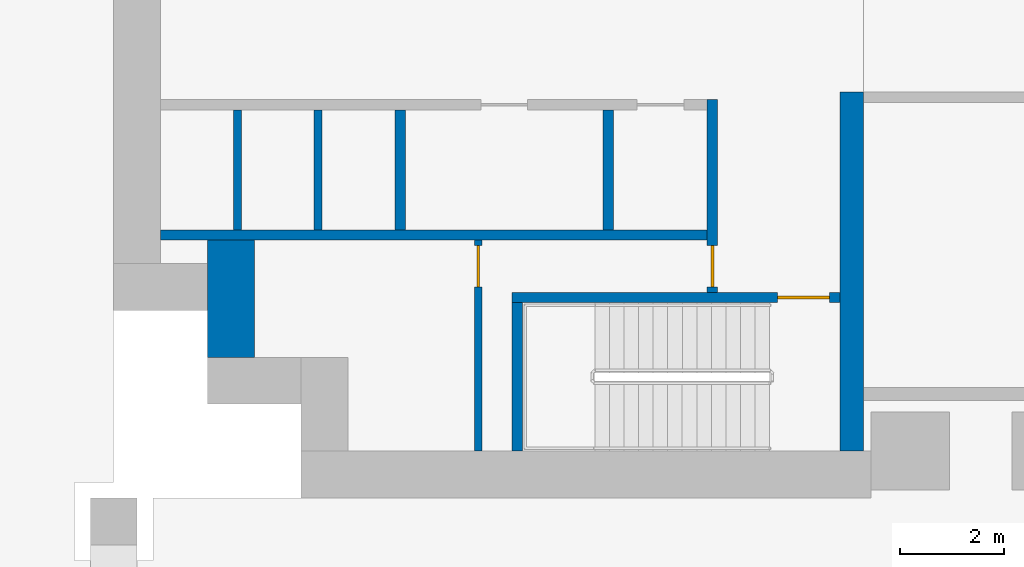
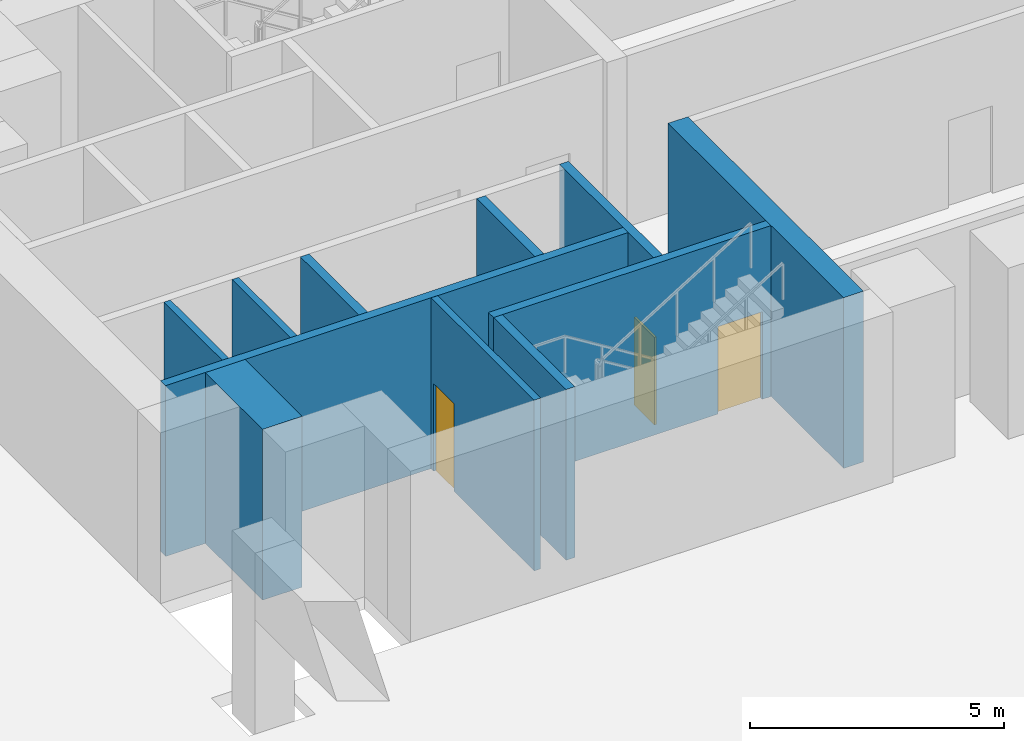
# One storey, part 3 of 9: 11 walls, 3 doors, 3 openings.
"""IFC4 building model written with IfcOpenShell, lengths in metres."""

from ifc_helpers import new_model, si_unit, direction, frame, frame_2d, origin, place, context, subcontext, project, spatial, rectangle, extrude, material, layer, layer_set, type_object, element, fill, save


model = new_model("IFC4")

# Units and contexts
model_context = context("Model", 3, precision=1e-05, world=origin(), true_north=direction((0.0, 1.0)))
body_context = subcontext(model_context, "Body", "Model", "MODEL_VIEW")
ifc_project = project(units=[si_unit("LENGTHUNIT", "METRE"), si_unit("AREAUNIT", "SQUARE_METRE"), si_unit("VOLUMEUNIT", "CUBIC_METRE"), si_unit("PLANEANGLEUNIT", "RADIAN"), si_unit("MASSUNIT", "GRAM", prefix="KILO")], contexts=[model_context])

# Site, building, storey
site_placement = place(None, origin())
site = spatial("IfcSite", under=ifc_project, at=site_placement, CompositionType="ELEMENT")
building_placement = place(site_placement, origin())
building = spatial("IfcBuilding", under=site, at=building_placement, Name="Perihelion Cross Residences", CompositionType="ELEMENT")
storey_placement = place(building_placement, frame((0.0, 0.0, -4.5)))
storey = spatial("IfcBuildingStorey", under=building, at=storey_placement, Name="B1", CompositionType="ELEMENT", Elevation=-4.5)

# Walls
ifc_material_1 = material(Name="Concrete C60/75", Category="concrete")
ifc_layer_1 = layer(ifc_material_1, 0.449951171875)
ifc_layer_set_1 = layer_set([ifc_layer_1], Name="Core wall, inner 450")
wall_type_1 = type_object("IfcWallType", Name="Core wall, inner 450", PredefinedType="SHEAR", material=ifc_layer_set_1)
wall_1_placement = place(storey_placement, frame((-21.824951171875, -8.10009765625, 0.0), z_axis=(0.0, 0.0, 1.0), x_axis=(0.0, 1.0, 0.0)))
element("IfcWall", 1, at=wall_1_placement, inside=storey, type_object=wall_type_1, Name="West core core wall, inner", PredefinedType="SHEAR", context=body_context, shape_type="SweptSolid", body=[
    extrude(rectangle(XDim=6.900146484375, YDim=0.449951171875, at=frame_2d((3.4501953125, 0.0))), origin(), (0.0, 0.0, 1.0), 4.10009765625),
])
ifc_material_2 = material(Name="Concrete C60/75", Category="concrete")
ifc_layer_2 = layer(ifc_material_2, 0.89990234375)
ifc_layer_set_2 = layer_set([ifc_layer_2], Name="Core wall, outer 900")
wall_type_2 = type_object("IfcWallType", Name="Core wall, outer 900", PredefinedType="SHEAR", material=ifc_layer_set_2)
wall_2_placement = place(storey_placement, frame((-33.75, -6.300048828125, 0.0), z_axis=(0.0, 0.0, 1.0), x_axis=(0.0, 1.0, 0.0)))
element("IfcWall", 2, at=wall_2_placement, inside=storey, type_object=wall_type_2, Name="West core core wall, outer", PredefinedType="SHEAR", context=body_context, shape_type="SweptSolid", body=[
    extrude(rectangle(XDim=2.25, YDim=0.89990234375, at=frame_2d((1.125, 0.0))), origin(), (0.0, 0.0, 1.0), 4.10009765625),
])

# Wall, opening, door
ifc_material_3 = material(Name="Concrete C50/60", Category="concrete")
ifc_layer_3 = layer(ifc_material_3, 0.199951171875)
ifc_layer_set_3 = layer_set([ifc_layer_3], Name="Lobby wall 200")
wall_type_3 = type_object("IfcWallType", Name="Lobby wall 200", PredefinedType="SOLIDWALL", material=ifc_layer_set_3)
wall_3_placement = place(storey_placement, frame((-24.5, -5.050048828125, 0.0), z_axis=(0.0, 0.0, 1.0), x_axis=(0.0, 1.0, 0.0)))
wall_3 = element("IfcWall", 3, at=wall_3_placement, inside=storey, type_object=wall_type_3, Name="West core lobby wall", PredefinedType="SOLIDWALL", context=body_context, shape_type="SweptSolid", body=[
    extrude(rectangle(XDim=3.699951171875, YDim=0.199951171875, at=frame_2d((1.85009765625, 0.0))), origin(), (0.0, 0.0, 1.0), 4.10009765625),
])
opening_1_placement = place(wall_3_placement, frame((0.10009765625, 0.0, 0.0)))
opening_1 = element("IfcOpeningElement", 4, at=opening_1_placement, cuts=wall_3, Name="Opening B1.C16", PredefinedType="OPENING", context=body_context, shape_type="SweptSolid", body=[
    extrude(rectangle(XDim=0.800048828125, YDim=2.10009765625, at=frame_2d((0.39990234375, 1.050048828125))), frame((0.0, 0.10986328125, 0.0), z_axis=(0.0, -1.0, 0.0), x_axis=(1.0, 0.0, 0.0)), (0.0, 0.0, 1.0), 0.219970703125),
])
ifc_material_4 = material(Name="Steel, powder coated", Category="steel")
door_type_1 = type_object("IfcDoorType", Name="Riser door 800", OperationType="SINGLE_SWING_LEFT", PredefinedType="DOOR", material=ifc_material_4)
door_1_placement = place(opening_1_placement, origin())
door_1 = element("IfcDoor", 5, at=door_1_placement, inside=storey, type_object=door_type_1, Name="West core riser door", OperationType="SINGLE_SWING_LEFT", OverallHeight=2.10009765625, OverallWidth=0.800048828125, PredefinedType="DOOR", context=body_context, shape_type="SweptSolid", body=[
    extrude(rectangle(XDim=0.800048828125, YDim=2.10009765625, at=frame_2d((0.39990234375, 1.050048828125))), frame((0.0, 0.02490234375, 0.0), z_axis=(0.0, -1.0, 0.0), x_axis=(1.0, 0.0, 0.0)), (0.0, 0.0, 1.0), 0.050048828125),
])
fill(opening_1, door_1)

ifc_material_5 = material(Name="Fire-rated board on steel stud", Category="steel")
ifc_layer_4 = layer(ifc_material_5, 0.14990234375)
ifc_layer_set_4 = layer_set([ifc_layer_4], Name="Riser wall 150")
wall_type_4 = type_object("IfcWallType", Name="Riser wall 150", PredefinedType="PARTITIONING", material=ifc_layer_set_4)
wall_4_placement = place(storey_placement, frame((-29.0, -8.10009765625, 0.0), z_axis=(0.0, 0.0, 1.0), x_axis=(0.0, 1.0, 0.0)))
wall_4 = element("IfcWall", 6, at=wall_4_placement, inside=storey, type_object=wall_type_4, Name="West core riser wall", PredefinedType="PARTITIONING", context=body_context, shape_type="SweptSolid", body=[
    extrude(rectangle(XDim=4.050048828125, YDim=0.14990234375, at=frame_2d((2.02490234375, 0.0))), origin(), (0.0, 0.0, 1.0), 4.10009765625),
])
opening_2_placement = place(wall_4_placement, frame((3.14990234375, 0.0, 0.0)))
opening_2 = element("IfcOpeningElement", 7, at=opening_2_placement, cuts=wall_4, Name="Opening B1.C21", PredefinedType="OPENING", context=body_context, shape_type="SweptSolid", body=[
    extrude(rectangle(XDim=0.800048828125, YDim=2.10009765625, at=frame_2d((0.39990234375, 1.050048828125))), frame((0.0, 0.0849609375, 0.0), z_axis=(0.0, -1.0, 0.0), x_axis=(1.0, 0.0, 0.0)), (0.0, 0.0, 1.0), 0.169921875),
])
door_2_placement = place(opening_2_placement, origin())
door_2 = element("IfcDoor", 8, at=door_2_placement, inside=storey, type_object=door_type_1, Name="West core riser door", OperationType="SINGLE_SWING_LEFT", OverallHeight=2.10009765625, OverallWidth=0.800048828125, PredefinedType="DOOR", context=body_context, shape_type="SweptSolid", body=[
    extrude(rectangle(XDim=0.800048828125, YDim=2.10009765625, at=frame_2d((0.39990234375, 1.050048828125))), frame((0.0, 0.02490234375, 0.0), z_axis=(0.0, -1.0, 0.0), x_axis=(1.0, 0.0, 0.0)), (0.0, 0.0, 1.0), 0.050048828125),
])
fill(opening_2, door_2)

# Walls
ifc_material_6 = material(Name="Fire-rated board on steel stud", Category="steel")
ifc_layer_5 = layer(ifc_material_6, 0.199951171875)
ifc_layer_set_5 = layer_set([ifc_layer_5], Name="Riser wall 200")
wall_type_5 = type_object("IfcWallType", Name="Riser wall 200", PredefinedType="PARTITIONING", material=ifc_layer_set_5)
wall_5_placement = place(storey_placement, frame((-26.5, -3.85009765625, 0.0), z_axis=(0.0, 0.0, 1.0), x_axis=(0.0, 1.0, 0.0)))
element("IfcWall", 9, at=wall_5_placement, inside=storey, type_object=wall_type_5, Name="West core riser wall", PredefinedType="PARTITIONING", context=body_context, shape_type="SweptSolid", body=[
    extrude(rectangle(XDim=2.300048828125, YDim=0.199951171875, at=frame_2d((1.14990234375, 0.0))), origin(), (0.0, 0.0, 1.0), 4.10009765625),
])
ifc_material_7 = material(Name="Concrete C50/60", Category="concrete")
ifc_layer_6 = layer(ifc_material_7, 0.14990234375)
ifc_layer_set_6 = layer_set([ifc_layer_6], Name="Shaft wall 150")
wall_type_6 = type_object("IfcWallType", Name="Shaft wall 150", PredefinedType="SOLIDWALL", material=ifc_layer_set_6)
for number, where, z_axis, x_axis, name in (
    (10, (-32.074951171875, -3.85009765625, 0.0), (0.0, 0.0, 1.0), (0.0, 1.0, 0.0), "West core shaft wall"),
    (11, (-33.625, -3.85009765625, 0.0), (0.0, 0.0, 1.0), (0.0, 1.0, 0.0), "West core shaft wall"),
):
    element("IfcWall", number, at=place(storey_placement, frame(where, z_axis=z_axis, x_axis=x_axis)), inside=storey, type_object=wall_type_6, Name=name, PredefinedType="SOLIDWALL", context=body_context, shape_type="SweptSolid", body=[
        extrude(rectangle(XDim=2.300048828125, YDim=0.14990234375, at=frame_2d((1.14990234375, 0.0))), origin(), (0.0, 0.0, 1.0), 4.10009765625),
    ])
ifc_material_8 = material(Name="Concrete C50/60", Category="concrete")
ifc_layer_7 = layer(ifc_material_8, 0.199951171875)
ifc_layer_set_7 = layer_set([ifc_layer_7], Name="Shaft wall 200")
wall_type_7 = type_object("IfcWallType", Name="Shaft wall 200", PredefinedType="SOLIDWALL", material=ifc_layer_set_7)
wall_6_placement = place(storey_placement, frame((-35.10009765625, -3.949951171875, 0.0), z_axis=(0.0, 0.0, 1.0), x_axis=(1.0, 0.0, 0.0)))
element("IfcWall", 12, at=wall_6_placement, inside=storey, type_object=wall_type_7, Name="West core shaft wall", PredefinedType="SOLIDWALL", context=body_context, shape_type="SweptSolid", body=[
    extrude(rectangle(XDim=10.5, YDim=0.199951171875, at=frame_2d((5.25, 0.0))), origin(), (0.0, 0.0, 1.0), 4.10009765625),
])
wall_7_placement = place(storey_placement, frame((-30.5, -3.85009765625, 0.0), z_axis=(0.0, 0.0, 1.0), x_axis=(0.0, 1.0, 0.0)))
element("IfcWall", 13, at=wall_7_placement, inside=storey, type_object=wall_type_7, Name="West core shaft wall", PredefinedType="SOLIDWALL", context=body_context, shape_type="SweptSolid", body=[
    extrude(rectangle(XDim=2.300048828125, YDim=0.199951171875, at=frame_2d((1.14990234375, 0.0))), origin(), (0.0, 0.0, 1.0), 4.10009765625),
])

# Wall, opening, door
ifc_material_9 = material(Name="Concrete C50/60", Category="concrete")
ifc_layer_8 = layer(ifc_material_9, 0.199951171875)
ifc_layer_set_8 = layer_set([ifc_layer_8], Name="Stair wall 200")
wall_type_8 = type_object("IfcWallType", Name="Stair wall 200", PredefinedType="SOLIDWALL", material=ifc_layer_set_8)
wall_8_placement = place(storey_placement, frame((-28.35009765625, -5.14990234375, 0.0), z_axis=(0.0, 0.0, 1.0), x_axis=(1.0, 0.0, 0.0)))
wall_8 = element("IfcWall", 14, at=wall_8_placement, inside=storey, type_object=wall_type_8, Name="West core stair wall", PredefinedType="SOLIDWALL", context=body_context, shape_type="SweptSolid", body=[
    extrude(rectangle(XDim=6.300048828125, YDim=0.199951171875, at=frame_2d((3.14990234375, 0.0))), origin(), (0.0, 0.0, 1.0), 4.10009765625),
])
opening_3_placement = place(wall_8_placement, frame((5.10009765625, 0.0, 0.0)))
opening_3 = element("IfcOpeningElement", 15, at=opening_3_placement, cuts=wall_8, Name="Opening B1.C13", PredefinedType="OPENING", context=body_context, shape_type="SweptSolid", body=[
    extrude(rectangle(XDim=1.0, YDim=2.10009765625, at=frame_2d((0.5, 1.050048828125))), frame((0.0, 0.10986328125, 0.0), z_axis=(0.0, -1.0, 0.0), x_axis=(1.0, 0.0, 0.0)), (0.0, 0.0, 1.0), 0.219970703125),
])
ifc_material_10 = material(Name="Steel, powder coated", Category="steel")
door_type_2 = type_object("IfcDoorType", Name="Stair door 1000", OperationType="SINGLE_SWING_LEFT", PredefinedType="DOOR", material=ifc_material_10)
door_3_placement = place(opening_3_placement, origin())
door_3 = element("IfcDoor", 16, at=door_3_placement, inside=storey, type_object=door_type_2, Name="West core stair door", OperationType="SINGLE_SWING_LEFT", OverallHeight=2.10009765625, OverallWidth=1.0, PredefinedType="DOOR", context=body_context, shape_type="SweptSolid", body=[
    extrude(rectangle(XDim=1.0, YDim=2.10009765625, at=frame_2d((0.5, 1.050048828125))), frame((0.0, 0.02490234375, 0.0), z_axis=(0.0, -1.0, 0.0), x_axis=(1.0, 0.0, 0.0)), (0.0, 0.0, 1.0), 0.050048828125),
])
fill(opening_3, door_3)

# Wall
wall_9_placement = place(storey_placement, frame((-28.25, -8.10009765625, 0.0), z_axis=(0.0, 0.0, 1.0), x_axis=(0.0, 1.0, 0.0)))
element("IfcWall", 17, at=wall_9_placement, inside=storey, type_object=wall_type_8, Name="West core stair wall", PredefinedType="SOLIDWALL", context=body_context, shape_type="SweptSolid", body=[
    extrude(rectangle(XDim=2.85009765625, YDim=0.199951171875, at=frame_2d((1.425048828125, 0.0))), origin(), (0.0, 0.0, 1.0), 4.10009765625),
])

save(model, "model.ifc")
